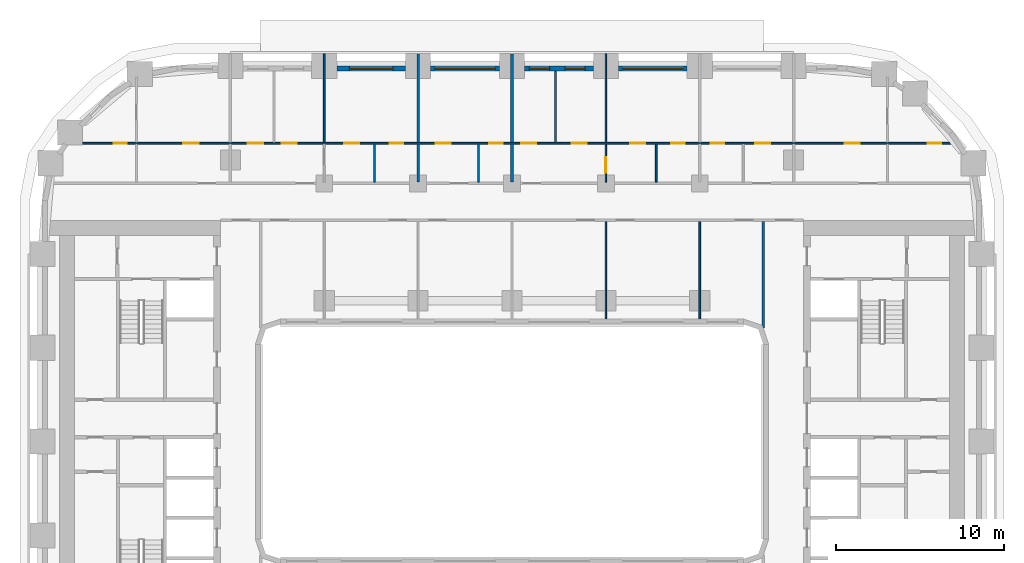
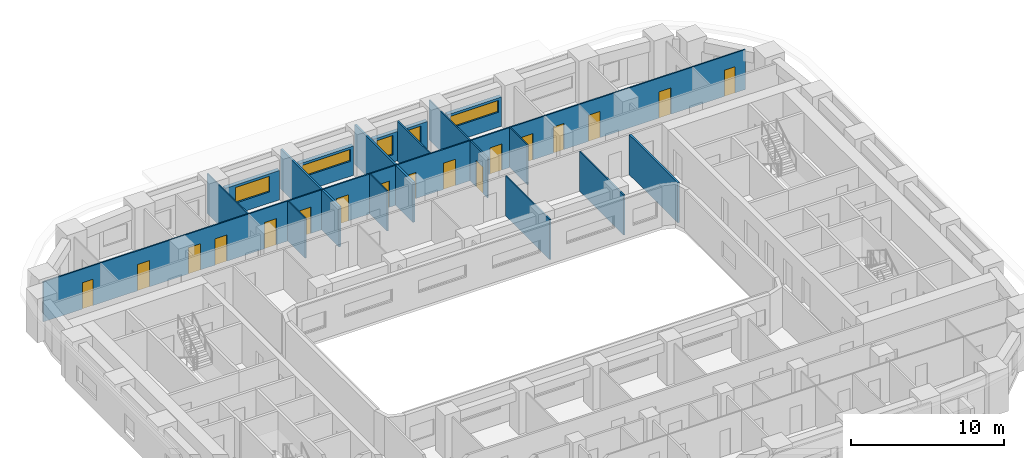
# One storey, part 8 of 21: 19 walls, 17 doors, 5 windows, 22 openings.
"""IFC4 building model written with IfcOpenShell, lengths in metres."""

from ifc_helpers import new_model, si_unit, direction, frame, frame_2d, origin, place, context, subcontext, project, spatial, rectangle, extrude, material, layer, layer_set, type_object, element, fill, save


model = new_model("IFC4")

# Units and contexts
model_context = context("Model", 3, precision=1e-05, world=origin(), true_north=direction((0.0, 1.0)))
body_context = subcontext(model_context, "Body", "Model", "MODEL_VIEW")
ifc_project = project(units=[si_unit("LENGTHUNIT", "METRE"), si_unit("AREAUNIT", "SQUARE_METRE"), si_unit("VOLUMEUNIT", "CUBIC_METRE"), si_unit("PLANEANGLEUNIT", "RADIAN"), si_unit("MASSUNIT", "GRAM", prefix="KILO")], contexts=[model_context])

# Site, building, storey
site_placement = place(None, origin())
site = spatial("IfcSite", under=ifc_project, at=site_placement, CompositionType="ELEMENT")
building_placement = place(site_placement, origin())
building = spatial("IfcBuilding", under=site, at=building_placement, Name="Kiln Ring Residences", CompositionType="ELEMENT")
storey_placement = place(building_placement, frame((0.0, 0.0, 34.0)))
storey = spatial("IfcBuildingStorey", under=building, at=storey_placement, Name="L07", CompositionType="ELEMENT", Elevation=34.0)

# Wall, opening, window
ifc_material_1 = material(Name="Brick masonry, dark clay brick", Category="masonry")
ifc_layer_1 = layer(ifc_material_1, 0.300048828125)
ifc_layer_set_1 = layer_set([ifc_layer_1], Name="EW-300 BRICK WALL")
wall_type_1 = type_object("IfcWallType", Name="EW-300 BRICK WALL", PredefinedType="SOLIDWALL", material=ifc_layer_set_1)
wall_1_placement = place(storey_placement, frame((10.449951171875, 22.25, 0.0), z_axis=(0.0, 0.0, 1.0), x_axis=(-1.0, 0.0, 0.0)))
wall_1 = element("IfcWall", 1, at=wall_1_placement, inside=storey, type_object=wall_type_1, Name="Facade wall L07 30", PredefinedType="SOLIDWALL", context=body_context, shape_type="SweptSolid", body=[
    extrude(rectangle(XDim=4.099853515625, YDim=0.300048828125, at=frame_2d((2.0498046875, 0.0))), origin(), (0.0, 0.0, 1.0), 2.35009765625),
])
opening_1_placement = place(wall_1_placement, frame((0.25, 0.0, 1.199951171875)))
opening_1 = element("IfcOpeningElement", 2, at=opening_1_placement, cuts=wall_1, Name="Opening W4", PredefinedType="OPENING", context=body_context, shape_type="SweptSolid", body=[
    extrude(rectangle(XDim=3.60009765625, YDim=0.949951171875, at=frame_2d((1.800048828125, 0.47509765625))), frame((0.0, 0.159912109375, 0.0), z_axis=(0.0, -1.0, 0.0), x_axis=(1.0, 0.0, 0.0)), (0.0, 0.0, 1.0), 0.320068359375),
])
ifc_material_2 = material(Name="Aluminium frame with double glazing", Category="aluminium")
window_type_1 = type_object("IfcWindowType", Name="WINDOW 3600 x 950", PartitioningType="SINGLE_PANEL", PredefinedType="WINDOW", material=ifc_material_2)
window_1_placement = place(opening_1_placement, origin())
window_1 = element("IfcWindow", 3, at=window_1_placement, inside=storey, type_object=window_type_1, Name="Window L07 15", OverallHeight=0.949951171875, OverallWidth=3.60009765625, PartitioningType="SINGLE_PANEL", PredefinedType="WINDOW", context=body_context, shape_type="SweptSolid", body=[
    extrude(rectangle(XDim=3.60009765625, YDim=0.949951171875, at=frame_2d((1.800048828125, 0.47509765625))), frame((0.0, 0.030029296875, 0.0), z_axis=(0.0, -1.0, 0.0), x_axis=(1.0, 0.0, 0.0)), (0.0, 0.0, 1.0), 0.06005859375),
])
fill(opening_1, window_1)

# Wall, openings, windows
wall_2_placement = place(storey_placement, frame((4.85009765625, 22.25, 0.0), z_axis=(0.0, 0.0, 1.0), x_axis=(-1.0, 0.0, 0.0)))
wall_2 = element("IfcWall", 4, at=wall_2_placement, inside=storey, type_object=wall_type_1, Name="Facade wall L07 31", PredefinedType="SOLIDWALL", context=body_context, shape_type="SweptSolid", body=[
    extrude(rectangle(XDim=4.10009765625, YDim=0.300048828125, at=frame_2d((2.050048828125, 0.0))), origin(), (0.0, 0.0, 1.0), 2.35009765625),
])
opening_2_placement = place(wall_2_placement, frame((0.487548828125, 0.0, 0.60009765625)))
opening_2 = element("IfcOpeningElement", 5, at=opening_2_placement, cuts=wall_2, Name="Opening W1", PredefinedType="OPENING", context=body_context, shape_type="SweptSolid", body=[
    extrude(rectangle(XDim=1.199951171875, YDim=1.550048828125, at=frame_2d((0.60009765625, 0.77490234375))), frame((0.0, 0.159912109375, 0.0), z_axis=(0.0, -1.0, 0.0), x_axis=(1.0, 0.0, 0.0)), (0.0, 0.0, 1.0), 0.320068359375),
])
opening_3_placement = place(wall_2_placement, frame((2.612548828125, 0.0, 0.60009765625)))
opening_3 = element("IfcOpeningElement", 6, at=opening_3_placement, cuts=wall_2, Name="Opening W1", PredefinedType="OPENING", context=body_context, shape_type="SweptSolid", body=[
    extrude(rectangle(XDim=1.199951171875, YDim=1.550048828125, at=frame_2d((0.60009765625, 0.77490234375))), frame((0.0, 0.159912109375, 0.0), z_axis=(0.0, -1.0, 0.0), x_axis=(1.0, 0.0, 0.0)), (0.0, 0.0, 1.0), 0.320068359375),
])
ifc_material_3 = material(Name="Aluminium frame with double glazing", Category="aluminium")
window_type_2 = type_object("IfcWindowType", Name="WINDOW 1200 x 1550", PartitioningType="SINGLE_PANEL", PredefinedType="WINDOW", material=ifc_material_3)
window_2_placement = place(opening_2_placement, origin())
window_2 = element("IfcWindow", 7, at=window_2_placement, inside=storey, type_object=window_type_2, Name="Window L07 16", OverallHeight=1.550048828125, OverallWidth=1.199951171875, PartitioningType="SINGLE_PANEL", PredefinedType="WINDOW", context=body_context, shape_type="SweptSolid", body=[
    extrude(rectangle(XDim=1.199951171875, YDim=1.550048828125, at=frame_2d((0.60009765625, 0.77490234375))), frame((0.0, 0.030029296875, 0.0), z_axis=(0.0, -1.0, 0.0), x_axis=(1.0, 0.0, 0.0)), (0.0, 0.0, 1.0), 0.06005859375),
])
fill(opening_2, window_2)
window_3_placement = place(opening_3_placement, origin())
window_3 = element("IfcWindow", 8, at=window_3_placement, inside=storey, type_object=window_type_2, Name="Window L07 17", OverallHeight=1.550048828125, OverallWidth=1.199951171875, PartitioningType="SINGLE_PANEL", PredefinedType="WINDOW", context=body_context, shape_type="SweptSolid", body=[
    extrude(rectangle(XDim=1.199951171875, YDim=1.550048828125, at=frame_2d((0.60009765625, 0.77490234375))), frame((0.0, 0.030029296875, 0.0), z_axis=(0.0, -1.0, 0.0), x_axis=(1.0, 0.0, 0.0)), (0.0, 0.0, 1.0), 0.06005859375),
])
fill(opening_3, window_3)

# Wall, opening, window
wall_3_placement = place(storey_placement, frame((-0.75, 22.25, 0.0), z_axis=(0.0, 0.0, 1.0), x_axis=(-1.0, 0.0, 0.0)))
wall_3 = element("IfcWall", 9, at=wall_3_placement, inside=storey, type_object=wall_type_1, Name="Facade wall L07 32", PredefinedType="SOLIDWALL", context=body_context, shape_type="SweptSolid", body=[
    extrude(rectangle(XDim=4.10009765625, YDim=0.300048828125, at=frame_2d((2.050048828125, 0.0))), origin(), (0.0, 0.0, 1.0), 2.35009765625),
])
opening_4_placement = place(wall_3_placement, frame((0.25, 0.0, 1.199951171875)))
opening_4 = element("IfcOpeningElement", 10, at=opening_4_placement, cuts=wall_3, Name="Opening W4", PredefinedType="OPENING", context=body_context, shape_type="SweptSolid", body=[
    extrude(rectangle(XDim=3.60009765625, YDim=0.949951171875, at=frame_2d((1.800048828125, 0.47509765625))), frame((0.0, 0.159912109375, 0.0), z_axis=(0.0, -1.0, 0.0), x_axis=(1.0, 0.0, 0.0)), (0.0, 0.0, 1.0), 0.320068359375),
])
window_4_placement = place(opening_4_placement, origin())
window_4 = element("IfcWindow", 11, at=window_4_placement, inside=storey, type_object=window_type_1, Name="Window L07 18", OverallHeight=0.949951171875, OverallWidth=3.60009765625, PartitioningType="SINGLE_PANEL", PredefinedType="WINDOW", context=body_context, shape_type="SweptSolid", body=[
    extrude(rectangle(XDim=3.60009765625, YDim=0.949951171875, at=frame_2d((1.800048828125, 0.47509765625))), frame((0.0, 0.030029296875, 0.0), z_axis=(0.0, -1.0, 0.0), x_axis=(1.0, 0.0, 0.0)), (0.0, 0.0, 1.0), 0.06005859375),
])
fill(opening_4, window_4)

wall_4_placement = place(storey_placement, frame((-6.35009765625, 22.25, 0.0), z_axis=(0.0, 0.0, 1.0), x_axis=(-1.0, 0.0, 0.0)))
wall_4 = element("IfcWall", 12, at=wall_4_placement, inside=storey, type_object=wall_type_1, Name="Facade wall L07 33", PredefinedType="SOLIDWALL", context=body_context, shape_type="SweptSolid", body=[
    extrude(rectangle(XDim=4.099853515625, YDim=0.300048828125, at=frame_2d((2.0498046875, 0.0))), origin(), (0.0, 0.0, 1.0), 2.35009765625),
])
opening_5_placement = place(wall_4_placement, frame((0.75, 0.0, 0.89990234375)))
opening_5 = element("IfcOpeningElement", 13, at=opening_5_placement, cuts=wall_4, Name="Opening W3", PredefinedType="OPENING", context=body_context, shape_type="SweptSolid", body=[
    extrude(rectangle(XDim=2.60009765625, YDim=1.25, at=frame_2d((1.300048828125, 0.625))), frame((0.0, 0.159912109375, 0.0), z_axis=(0.0, -1.0, 0.0), x_axis=(1.0, 0.0, 0.0)), (0.0, 0.0, 1.0), 0.320068359375),
])
ifc_material_4 = material(Name="Aluminium frame with double glazing", Category="aluminium")
window_type_3 = type_object("IfcWindowType", Name="WINDOW 2600 x 1250", PartitioningType="SINGLE_PANEL", PredefinedType="WINDOW", material=ifc_material_4)
window_5_placement = place(opening_5_placement, origin())
window_5 = element("IfcWindow", 14, at=window_5_placement, inside=storey, type_object=window_type_3, Name="Window L07 19", OverallHeight=1.25, OverallWidth=2.60009765625, PartitioningType="SINGLE_PANEL", PredefinedType="WINDOW", context=body_context, shape_type="SweptSolid", body=[
    extrude(rectangle(XDim=2.60009765625, YDim=1.25, at=frame_2d((1.300048828125, 0.625))), frame((0.0, 0.030029296875, 0.0), z_axis=(0.0, -1.0, 0.0), x_axis=(1.0, 0.0, 0.0)), (0.0, 0.0, 1.0), 0.06005859375),
])
fill(opening_5, window_5)

# Wall, openings, doors
ifc_material_5 = material(Name="Gypsum board on steel studs", Category="steel")
ifc_layer_2 = layer(ifc_material_5, 0.10009765625)
ifc_layer_set_2 = layer_set([ifc_layer_2], Name="PARTITION-100")
wall_type_2 = type_object("IfcWallType", Name="PARTITION-100", PredefinedType="PARTITIONING", material=ifc_layer_set_2)
wall_5_placement = place(storey_placement, frame((-26.732177734375, 17.800048828125, 0.0), z_axis=(0.0, 0.0, 1.0), x_axis=(1.0, 0.0, 0.0)))
wall_5 = element("IfcWall", 15, at=wall_5_placement, inside=storey, type_object=wall_type_2, Name="Partition 005", PredefinedType="PARTITIONING", context=body_context, shape_type="SweptSolid", body=[
    extrude(rectangle(XDim=53.126220703125, YDim=0.10009765625, at=frame_2d((26.56298828125, 0.0))), origin(), (0.0, 0.0, 1.0), 3.199951171875),
])
opening_6_placement = place(wall_5_placement, frame((2.964111328125, 0.0, 0.0)))
opening_6 = element("IfcOpeningElement", 16, at=opening_6_placement, cuts=wall_5, Name="Opening L07-D012", PredefinedType="OPENING", context=body_context, shape_type="SweptSolid", body=[
    extrude(rectangle(XDim=0.800048828125, YDim=2.10009765625, at=frame_2d((0.39990234375, 1.050048828125))), frame((0.0, 0.06005859375, 0.0), z_axis=(0.0, -1.0, 0.0), x_axis=(1.0, 0.0, 0.0)), (0.0, 0.0, 1.0), 0.1201171875),
])
opening_7_placement = place(wall_5_placement, frame((7.132080078125, 0.0, 0.0)))
opening_7 = element("IfcOpeningElement", 17, at=opening_7_placement, cuts=wall_5, Name="Opening L07-D013", PredefinedType="OPENING", context=body_context, shape_type="SweptSolid", body=[
    extrude(rectangle(XDim=0.89990234375, YDim=2.10009765625, at=frame_2d((0.449951171875, 1.050048828125))), frame((0.0, 0.06005859375, 0.0), z_axis=(0.0, -1.0, 0.0), x_axis=(1.0, 0.0, 0.0)), (0.0, 0.0, 1.0), 0.1201171875),
])
opening_8_placement = place(wall_5_placement, frame((19.43212890625, 0.0, 0.0)))
opening_8 = element("IfcOpeningElement", 18, at=opening_8_placement, cuts=wall_5, Name="Opening L07-D017", PredefinedType="OPENING", context=body_context, shape_type="SweptSolid", body=[
    extrude(rectangle(XDim=0.800048828125, YDim=2.10009765625, at=frame_2d((0.39990234375, 1.050048828125))), frame((0.0, 0.06005859375, 0.0), z_axis=(0.0, -1.0, 0.0), x_axis=(1.0, 0.0, 0.0)), (0.0, 0.0, 1.0), 0.1201171875),
])
opening_9_placement = place(wall_5_placement, frame((16.732177734375, 0.0, 0.0)))
opening_9 = element("IfcOpeningElement", 19, at=opening_9_placement, cuts=wall_5, Name="Opening L07-D018", PredefinedType="OPENING", context=body_context, shape_type="SweptSolid", body=[
    extrude(rectangle(XDim=0.89990234375, YDim=2.10009765625, at=frame_2d((0.449951171875, 1.050048828125))), frame((0.0, 0.06005859375, 0.0), z_axis=(0.0, -1.0, 0.0), x_axis=(1.0, 0.0, 0.0)), (0.0, 0.0, 1.0), 0.1201171875),
])
opening_10_placement = place(wall_5_placement, frame((10.982177734375, 0.0, 0.0)))
opening_10 = element("IfcOpeningElement", 20, at=opening_10_placement, cuts=wall_5, Name="Opening L07-D019", PredefinedType="OPENING", context=body_context, shape_type="SweptSolid", body=[
    extrude(rectangle(XDim=0.89990234375, YDim=2.10009765625, at=frame_2d((0.449951171875, 1.050048828125))), frame((0.0, 0.06005859375, 0.0), z_axis=(0.0, -1.0, 0.0), x_axis=(1.0, 0.0, 0.0)), (0.0, 0.0, 1.0), 0.1201171875),
])
opening_11_placement = place(wall_5_placement, frame((12.982177734375, 0.0, 0.0)))
opening_11 = element("IfcOpeningElement", 21, at=opening_11_placement, cuts=wall_5, Name="Opening L07-D020", PredefinedType="OPENING", context=body_context, shape_type="SweptSolid", body=[
    extrude(rectangle(XDim=0.89990234375, YDim=2.10009765625, at=frame_2d((0.449951171875, 1.050048828125))), frame((0.0, 0.06005859375, 0.0), z_axis=(0.0, -1.0, 0.0), x_axis=(1.0, 0.0, 0.0)), (0.0, 0.0, 1.0), 0.1201171875),
])
opening_12_placement = place(wall_5_placement, frame((25.382080078125, 0.0, 0.0)))
opening_12 = element("IfcOpeningElement", 22, at=opening_12_placement, cuts=wall_5, Name="Opening L07-D022", PredefinedType="OPENING", context=body_context, shape_type="SweptSolid", body=[
    extrude(rectangle(XDim=0.800048828125, YDim=2.10009765625, at=frame_2d((0.39990234375, 1.050048828125))), frame((0.0, 0.06005859375, 0.0), z_axis=(0.0, -1.0, 0.0), x_axis=(1.0, 0.0, 0.0)), (0.0, 0.0, 1.0), 0.1201171875),
])
opening_13_placement = place(wall_5_placement, frame((22.18212890625, 0.0, 0.0)))
opening_13 = element("IfcOpeningElement", 23, at=opening_13_placement, cuts=wall_5, Name="Opening L07-D023", PredefinedType="OPENING", context=body_context, shape_type="SweptSolid", body=[
    extrude(rectangle(XDim=0.89990234375, YDim=2.10009765625, at=frame_2d((0.449951171875, 1.050048828125))), frame((0.0, 0.06005859375, 0.0), z_axis=(0.0, -1.0, 0.0), x_axis=(1.0, 0.0, 0.0)), (0.0, 0.0, 1.0), 0.1201171875),
])
opening_14_placement = place(wall_5_placement, frame((36.232177734375, 0.0, 0.0)))
opening_14 = element("IfcOpeningElement", 24, at=opening_14_placement, cuts=wall_5, Name="Opening L07-D026", PredefinedType="OPENING", context=body_context, shape_type="SweptSolid", body=[
    extrude(rectangle(XDim=0.800048828125, YDim=2.10009765625, at=frame_2d((0.39990234375, 1.050048828125))), frame((0.0, 0.06005859375, 0.0), z_axis=(0.0, -1.0, 0.0), x_axis=(1.0, 0.0, 0.0)), (0.0, 0.0, 1.0), 0.1201171875),
])
opening_15_placement = place(wall_5_placement, frame((33.781982421875, 0.0, 0.0)))
opening_15 = element("IfcOpeningElement", 25, at=opening_15_placement, cuts=wall_5, Name="Opening L07-D027", PredefinedType="OPENING", context=body_context, shape_type="SweptSolid", body=[
    extrude(rectangle(XDim=0.89990234375, YDim=2.10009765625, at=frame_2d((0.449951171875, 1.050048828125))), frame((0.0, 0.06005859375, 0.0), z_axis=(0.0, -1.0, 0.0), x_axis=(1.0, 0.0, 0.0)), (0.0, 0.0, 1.0), 0.1201171875),
])
opening_16_placement = place(wall_5_placement, frame((27.281982421875, 0.0, 0.0)))
opening_16 = element("IfcOpeningElement", 26, at=opening_16_placement, cuts=wall_5, Name="Opening L07-D028", PredefinedType="OPENING", context=body_context, shape_type="SweptSolid", body=[
    extrude(rectangle(XDim=0.89990234375, YDim=2.10009765625, at=frame_2d((0.449951171875, 1.050048828125))), frame((0.0, 0.06005859375, 0.0), z_axis=(0.0, -1.0, 0.0), x_axis=(1.0, 0.0, 0.0)), (0.0, 0.0, 1.0), 0.1201171875),
])
opening_17_placement = place(wall_5_placement, frame((30.281982421875, 0.0, 0.0)))
opening_17 = element("IfcOpeningElement", 27, at=opening_17_placement, cuts=wall_5, Name="Opening L07-D029", PredefinedType="OPENING", context=body_context, shape_type="SweptSolid", body=[
    extrude(rectangle(XDim=0.89990234375, YDim=2.10009765625, at=frame_2d((0.449951171875, 1.050048828125))), frame((0.0, 0.06005859375, 0.0), z_axis=(0.0, -1.0, 0.0), x_axis=(1.0, 0.0, 0.0)), (0.0, 0.0, 1.0), 0.1201171875),
])
opening_18_placement = place(wall_5_placement, frame((38.58203125, 0.0, 0.0)))
opening_18 = element("IfcOpeningElement", 28, at=opening_18_placement, cuts=wall_5, Name="Opening L07-D031", PredefinedType="OPENING", context=body_context, shape_type="SweptSolid", body=[
    extrude(rectangle(XDim=0.800048828125, YDim=2.10009765625, at=frame_2d((0.39990234375, 1.050048828125))), frame((0.0, 0.06005859375, 0.0), z_axis=(0.0, -1.0, 0.0), x_axis=(1.0, 0.0, 0.0)), (0.0, 0.0, 1.0), 0.1201171875),
])
opening_19_placement = place(wall_5_placement, frame((41.232177734375, 0.0, 0.0)))
opening_19 = element("IfcOpeningElement", 29, at=opening_19_placement, cuts=wall_5, Name="Opening L07-D032", PredefinedType="OPENING", context=body_context, shape_type="SweptSolid", body=[
    extrude(rectangle(XDim=0.89990234375, YDim=2.10009765625, at=frame_2d((0.449951171875, 1.050048828125))), frame((0.0, 0.06005859375, 0.0), z_axis=(0.0, -1.0, 0.0), x_axis=(1.0, 0.0, 0.0)), (0.0, 0.0, 1.0), 0.1201171875),
])
opening_20_placement = place(wall_5_placement, frame((51.531982421875, 0.0, 0.0)))
opening_20 = element("IfcOpeningElement", 30, at=opening_20_placement, cuts=wall_5, Name="Opening L07-D034", PredefinedType="OPENING", context=body_context, shape_type="SweptSolid", body=[
    extrude(rectangle(XDim=0.800048828125, YDim=2.10009765625, at=frame_2d((0.39990234375, 1.050048828125))), frame((0.0, 0.06005859375, 0.0), z_axis=(0.0, -1.0, 0.0), x_axis=(1.0, 0.0, 0.0)), (0.0, 0.0, 1.0), 0.1201171875),
])
opening_21_placement = place(wall_5_placement, frame((46.58203125, 0.0, 0.0)))
opening_21 = element("IfcOpeningElement", 31, at=opening_21_placement, cuts=wall_5, Name="Opening L07-D035", PredefinedType="OPENING", context=body_context, shape_type="SweptSolid", body=[
    extrude(rectangle(XDim=0.89990234375, YDim=2.10009765625, at=frame_2d((0.449951171875, 1.050048828125))), frame((0.0, 0.06005859375, 0.0), z_axis=(0.0, -1.0, 0.0), x_axis=(1.0, 0.0, 0.0)), (0.0, 0.0, 1.0), 0.1201171875),
])
ifc_material_6 = material(Name="Timber door leaf", Category="wood")
door_type_1 = type_object("IfcDoorType", Name="FLAT-DOOR-800-PL", OperationType="SINGLE_SWING_LEFT", PredefinedType="DOOR", material=ifc_material_6)
door_1_placement = place(opening_6_placement, origin())
door_1 = element("IfcDoor", 32, at=door_1_placement, inside=storey, type_object=door_type_1, Name="Door L07-D012", OperationType="SINGLE_SWING_RIGHT", OverallHeight=2.10009765625, OverallWidth=0.800048828125, PredefinedType="DOOR", context=body_context, shape_type="SweptSolid", body=[
    extrude(rectangle(XDim=0.800048828125, YDim=2.10009765625, at=frame_2d((0.39990234375, 1.050048828125))), frame((0.0, 0.02490234375, 0.0), z_axis=(0.0, -1.0, 0.0), x_axis=(1.0, 0.0, 0.0)), (0.0, 0.0, 1.0), 0.050048828125),
])
fill(opening_6, door_1)
door_2_placement = place(opening_8_placement, origin())
door_2 = element("IfcDoor", 33, at=door_2_placement, inside=storey, type_object=door_type_1, Name="Door L07-D017", OperationType="SINGLE_SWING_LEFT", OverallHeight=2.10009765625, OverallWidth=0.800048828125, PredefinedType="DOOR", context=body_context, shape_type="SweptSolid", body=[
    extrude(rectangle(XDim=0.800048828125, YDim=2.10009765625, at=frame_2d((0.39990234375, 1.050048828125))), frame((0.0, 0.02490234375, 0.0), z_axis=(0.0, -1.0, 0.0), x_axis=(1.0, 0.0, 0.0)), (0.0, 0.0, 1.0), 0.050048828125),
])
fill(opening_8, door_2)
door_3_placement = place(opening_12_placement, origin())
door_3 = element("IfcDoor", 34, at=door_3_placement, inside=storey, type_object=door_type_1, Name="Door L07-D022", OperationType="SINGLE_SWING_RIGHT", OverallHeight=2.10009765625, OverallWidth=0.800048828125, PredefinedType="DOOR", context=body_context, shape_type="SweptSolid", body=[
    extrude(rectangle(XDim=0.800048828125, YDim=2.10009765625, at=frame_2d((0.39990234375, 1.050048828125))), frame((0.0, 0.02490234375, 0.0), z_axis=(0.0, -1.0, 0.0), x_axis=(1.0, 0.0, 0.0)), (0.0, 0.0, 1.0), 0.050048828125),
])
fill(opening_12, door_3)
door_4_placement = place(opening_14_placement, origin())
door_4 = element("IfcDoor", 35, at=door_4_placement, inside=storey, type_object=door_type_1, Name="Door L07-D026", OperationType="SINGLE_SWING_RIGHT", OverallHeight=2.10009765625, OverallWidth=0.800048828125, PredefinedType="DOOR", context=body_context, shape_type="SweptSolid", body=[
    extrude(rectangle(XDim=0.800048828125, YDim=2.10009765625, at=frame_2d((0.39990234375, 1.050048828125))), frame((0.0, 0.02490234375, 0.0), z_axis=(0.0, -1.0, 0.0), x_axis=(1.0, 0.0, 0.0)), (0.0, 0.0, 1.0), 0.050048828125),
])
fill(opening_14, door_4)
door_5_placement = place(opening_18_placement, origin())
door_5 = element("IfcDoor", 36, at=door_5_placement, inside=storey, type_object=door_type_1, Name="Door L07-D031", OperationType="SINGLE_SWING_LEFT", OverallHeight=2.10009765625, OverallWidth=0.800048828125, PredefinedType="DOOR", context=body_context, shape_type="SweptSolid", body=[
    extrude(rectangle(XDim=0.800048828125, YDim=2.10009765625, at=frame_2d((0.39990234375, 1.050048828125))), frame((0.0, 0.02490234375, 0.0), z_axis=(0.0, -1.0, 0.0), x_axis=(1.0, 0.0, 0.0)), (0.0, 0.0, 1.0), 0.050048828125),
])
fill(opening_18, door_5)
door_6_placement = place(opening_20_placement, origin())
door_6 = element("IfcDoor", 37, at=door_6_placement, inside=storey, type_object=door_type_1, Name="Door L07-D034", OperationType="SINGLE_SWING_RIGHT", OverallHeight=2.10009765625, OverallWidth=0.800048828125, PredefinedType="DOOR", context=body_context, shape_type="SweptSolid", body=[
    extrude(rectangle(XDim=0.800048828125, YDim=2.10009765625, at=frame_2d((0.39990234375, 1.050048828125))), frame((0.0, 0.02490234375, 0.0), z_axis=(0.0, -1.0, 0.0), x_axis=(1.0, 0.0, 0.0)), (0.0, 0.0, 1.0), 0.050048828125),
])
fill(opening_20, door_6)
ifc_material_7 = material(Name="Timber door leaf", Category="wood")
door_type_2 = type_object("IfcDoorType", Name="FLAT-DOOR-900-PL", OperationType="SINGLE_SWING_LEFT", PredefinedType="DOOR", material=ifc_material_7)
door_7_placement = place(opening_7_placement, origin())
door_7 = element("IfcDoor", 38, at=door_7_placement, inside=storey, type_object=door_type_2, Name="Door L07-D013", OperationType="SINGLE_SWING_LEFT", OverallHeight=2.10009765625, OverallWidth=0.89990234375, PredefinedType="DOOR", context=body_context, shape_type="SweptSolid", body=[
    extrude(rectangle(XDim=0.89990234375, YDim=2.10009765625, at=frame_2d((0.449951171875, 1.050048828125))), frame((0.0, 0.02490234375, 0.0), z_axis=(0.0, -1.0, 0.0), x_axis=(1.0, 0.0, 0.0)), (0.0, 0.0, 1.0), 0.050048828125),
])
fill(opening_7, door_7)
door_8_placement = place(opening_9_placement, origin())
door_8 = element("IfcDoor", 39, at=door_8_placement, inside=storey, type_object=door_type_2, Name="Door L07-D018", OperationType="SINGLE_SWING_RIGHT", OverallHeight=2.10009765625, OverallWidth=0.89990234375, PredefinedType="DOOR", context=body_context, shape_type="SweptSolid", body=[
    extrude(rectangle(XDim=0.89990234375, YDim=2.10009765625, at=frame_2d((0.449951171875, 1.050048828125))), frame((0.0, 0.02490234375, 0.0), z_axis=(0.0, -1.0, 0.0), x_axis=(1.0, 0.0, 0.0)), (0.0, 0.0, 1.0), 0.050048828125),
])
fill(opening_9, door_8)
door_9_placement = place(opening_10_placement, origin())
door_9 = element("IfcDoor", 40, at=door_9_placement, inside=storey, type_object=door_type_2, Name="Door L07-D019", OperationType="SINGLE_SWING_LEFT", OverallHeight=2.10009765625, OverallWidth=0.89990234375, PredefinedType="DOOR", context=body_context, shape_type="SweptSolid", body=[
    extrude(rectangle(XDim=0.89990234375, YDim=2.10009765625, at=frame_2d((0.449951171875, 1.050048828125))), frame((0.0, 0.02490234375, 0.0), z_axis=(0.0, -1.0, 0.0), x_axis=(1.0, 0.0, 0.0)), (0.0, 0.0, 1.0), 0.050048828125),
])
fill(opening_10, door_9)
door_10_placement = place(opening_11_placement, origin())
door_10 = element("IfcDoor", 41, at=door_10_placement, inside=storey, type_object=door_type_2, Name="Door L07-D020", OperationType="SINGLE_SWING_RIGHT", OverallHeight=2.10009765625, OverallWidth=0.89990234375, PredefinedType="DOOR", context=body_context, shape_type="SweptSolid", body=[
    extrude(rectangle(XDim=0.89990234375, YDim=2.10009765625, at=frame_2d((0.449951171875, 1.050048828125))), frame((0.0, 0.02490234375, 0.0), z_axis=(0.0, -1.0, 0.0), x_axis=(1.0, 0.0, 0.0)), (0.0, 0.0, 1.0), 0.050048828125),
])
fill(opening_11, door_10)
door_11_placement = place(opening_13_placement, origin())
door_11 = element("IfcDoor", 42, at=door_11_placement, inside=storey, type_object=door_type_2, Name="Door L07-D023", OperationType="SINGLE_SWING_RIGHT", OverallHeight=2.10009765625, OverallWidth=0.89990234375, PredefinedType="DOOR", context=body_context, shape_type="SweptSolid", body=[
    extrude(rectangle(XDim=0.89990234375, YDim=2.10009765625, at=frame_2d((0.449951171875, 1.050048828125))), frame((0.0, 0.02490234375, 0.0), z_axis=(0.0, -1.0, 0.0), x_axis=(1.0, 0.0, 0.0)), (0.0, 0.0, 1.0), 0.050048828125),
])
fill(opening_13, door_11)
door_12_placement = place(opening_15_placement, origin())
door_12 = element("IfcDoor", 43, at=door_12_placement, inside=storey, type_object=door_type_2, Name="Door L07-D027", OperationType="SINGLE_SWING_LEFT", OverallHeight=2.10009765625, OverallWidth=0.89990234375, PredefinedType="DOOR", context=body_context, shape_type="SweptSolid", body=[
    extrude(rectangle(XDim=0.89990234375, YDim=2.10009765625, at=frame_2d((0.449951171875, 1.050048828125))), frame((0.0, 0.02490234375, 0.0), z_axis=(0.0, -1.0, 0.0), x_axis=(1.0, 0.0, 0.0)), (0.0, 0.0, 1.0), 0.050048828125),
])
fill(opening_15, door_12)
door_13_placement = place(opening_16_placement, origin())
door_13 = element("IfcDoor", 44, at=door_13_placement, inside=storey, type_object=door_type_2, Name="Door L07-D028", OperationType="SINGLE_SWING_RIGHT", OverallHeight=2.10009765625, OverallWidth=0.89990234375, PredefinedType="DOOR", context=body_context, shape_type="SweptSolid", body=[
    extrude(rectangle(XDim=0.89990234375, YDim=2.10009765625, at=frame_2d((0.449951171875, 1.050048828125))), frame((0.0, 0.02490234375, 0.0), z_axis=(0.0, -1.0, 0.0), x_axis=(1.0, 0.0, 0.0)), (0.0, 0.0, 1.0), 0.050048828125),
])
fill(opening_16, door_13)
door_14_placement = place(opening_17_placement, origin())
door_14 = element("IfcDoor", 45, at=door_14_placement, inside=storey, type_object=door_type_2, Name="Door L07-D029", OperationType="SINGLE_SWING_LEFT", OverallHeight=2.10009765625, OverallWidth=0.89990234375, PredefinedType="DOOR", context=body_context, shape_type="SweptSolid", body=[
    extrude(rectangle(XDim=0.89990234375, YDim=2.10009765625, at=frame_2d((0.449951171875, 1.050048828125))), frame((0.0, 0.02490234375, 0.0), z_axis=(0.0, -1.0, 0.0), x_axis=(1.0, 0.0, 0.0)), (0.0, 0.0, 1.0), 0.050048828125),
])
fill(opening_17, door_14)
door_15_placement = place(opening_19_placement, origin())
door_15 = element("IfcDoor", 46, at=door_15_placement, inside=storey, type_object=door_type_2, Name="Door L07-D032", OperationType="SINGLE_SWING_RIGHT", OverallHeight=2.10009765625, OverallWidth=0.89990234375, PredefinedType="DOOR", context=body_context, shape_type="SweptSolid", body=[
    extrude(rectangle(XDim=0.89990234375, YDim=2.10009765625, at=frame_2d((0.449951171875, 1.050048828125))), frame((0.0, 0.02490234375, 0.0), z_axis=(0.0, -1.0, 0.0), x_axis=(1.0, 0.0, 0.0)), (0.0, 0.0, 1.0), 0.050048828125),
])
fill(opening_19, door_15)
door_16_placement = place(opening_21_placement, origin())
door_16 = element("IfcDoor", 47, at=door_16_placement, inside=storey, type_object=door_type_2, Name="Door L07-D035", OperationType="SINGLE_SWING_LEFT", OverallHeight=2.10009765625, OverallWidth=0.89990234375, PredefinedType="DOOR", context=body_context, shape_type="SweptSolid", body=[
    extrude(rectangle(XDim=0.89990234375, YDim=2.10009765625, at=frame_2d((0.449951171875, 1.050048828125))), frame((0.0, 0.02490234375, 0.0), z_axis=(0.0, -1.0, 0.0), x_axis=(1.0, 0.0, 0.0)), (0.0, 0.0, 1.0), 0.050048828125),
])
fill(opening_21, door_16)

# Walls
wall_6_placement = place(storey_placement, frame((-11.199951171875, 17.85009765625, 0.0), z_axis=(0.0, 0.0, 1.0), x_axis=(0.0, 1.0, 0.0)))
element("IfcWall", 48, at=wall_6_placement, inside=storey, type_object=wall_type_2, Name="Partition 021", PredefinedType="PARTITIONING", context=body_context, shape_type="SweptSolid", body=[
    extrude(rectangle(XDim=5.27978515625, YDim=0.10009765625, at=frame_2d((2.639892578125, 0.0))), origin(), (0.0, 0.0, 1.0), 3.199951171875),
])
for number, where, z_axis, x_axis, name in (
    (49, (-8.199951171875, 15.47509765625, 0.0), (0.0, 0.0, 1.0), (0.0, 1.0, 0.0), "Partition 025"),
    (50, (-2.0, 15.47509765625, 0.0), (0.0, 0.0, 1.0), (0.0, 1.0, 0.0), "Partition 033"),
):
    element("IfcWall", number, at=place(storey_placement, frame(where, z_axis=z_axis, x_axis=x_axis)), inside=storey, type_object=wall_type_2, Name=name, PredefinedType="PARTITIONING", context=body_context, shape_type="SweptSolid", body=[
        extrude(rectangle(XDim=2.27490234375, YDim=0.10009765625, at=frame_2d((1.137451171875, 0.0))), origin(), (0.0, 0.0, 1.0), 3.199951171875),
    ])
wall_7_placement = place(storey_placement, frame((2.60009765625, 17.85009765625, 0.0), z_axis=(0.0, 0.0, 1.0), x_axis=(0.0, 1.0, 0.0)))
element("IfcWall", 51, at=wall_7_placement, inside=storey, type_object=wall_type_2, Name="Partition 040", PredefinedType="PARTITIONING", context=body_context, shape_type="SweptSolid", body=[
    extrude(rectangle(XDim=4.22998046875, YDim=0.10009765625, at=frame_2d((2.114990234375, 0.0))), origin(), (0.0, 0.0, 1.0), 3.199951171875),
])
wall_8_placement = place(storey_placement, frame((5.60009765625, 7.320068359375, 0.0), z_axis=(0.0, 0.0, 1.0), x_axis=(0.0, 1.0, 0.0)))
element("IfcWall", 52, at=wall_8_placement, inside=storey, type_object=wall_type_2, Name="Partition 043", PredefinedType="PARTITIONING", context=body_context, shape_type="SweptSolid", body=[
    extrude(rectangle(XDim=5.804931640625, YDim=0.10009765625, at=frame_2d((2.90234375, 0.0))), origin(), (0.0, 0.0, 1.0), 3.199951171875),
])

# Wall, opening, door
wall_9_placement = place(storey_placement, frame((5.60009765625, 15.47509765625, 0.0), z_axis=(0.0, 0.0, 1.0), x_axis=(0.0, 1.0, 0.0)))
wall_9 = element("IfcWall", 53, at=wall_9_placement, inside=storey, type_object=wall_type_2, Name="Partition 044", PredefinedType="PARTITIONING", context=body_context, shape_type="SweptSolid", body=[
    extrude(rectangle(XDim=2.27490234375, YDim=0.10009765625, at=frame_2d((1.137451171875, 0.0))), origin(), (0.0, 0.0, 1.0), 3.199951171875),
])
opening_22_placement = place(wall_9_placement, frame((0.575927734375, 0.0, 0.0)))
opening_22 = element("IfcOpeningElement", 54, at=opening_22_placement, cuts=wall_9, Name="Opening L07-D025", PredefinedType="OPENING", context=body_context, shape_type="SweptSolid", body=[
    extrude(rectangle(XDim=0.89990234375, YDim=2.10009765625, at=frame_2d((0.449951171875, 1.050048828125))), frame((0.0, 0.06005859375, 0.0), z_axis=(0.0, -1.0, 0.0), x_axis=(1.0, 0.0, 0.0)), (0.0, 0.0, 1.0), 0.1201171875),
])
door_17_placement = place(opening_22_placement, origin())
door_17 = element("IfcDoor", 55, at=door_17_placement, inside=storey, type_object=door_type_2, Name="Door L07-D025", OperationType="SINGLE_SWING_LEFT", OverallHeight=2.10009765625, OverallWidth=0.89990234375, PredefinedType="DOOR", context=body_context, shape_type="SweptSolid", body=[
    extrude(rectangle(XDim=0.89990234375, YDim=2.10009765625, at=frame_2d((0.449951171875, 1.050048828125))), frame((0.0, 0.02490234375, 0.0), z_axis=(0.0, -1.0, 0.0), x_axis=(1.0, 0.0, 0.0)), (0.0, 0.0, 1.0), 0.050048828125),
])
fill(opening_22, door_17)

# Walls
wall_10_placement = place(storey_placement, frame((5.60009765625, 17.85009765625, 0.0), z_axis=(0.0, 0.0, 1.0), x_axis=(0.0, 1.0, 0.0)))
element("IfcWall", 56, at=wall_10_placement, inside=storey, type_object=wall_type_2, Name="Partition 045", PredefinedType="PARTITIONING", context=body_context, shape_type="SweptSolid", body=[
    extrude(rectangle(XDim=5.27978515625, YDim=0.10009765625, at=frame_2d((2.639892578125, 0.0))), origin(), (0.0, 0.0, 1.0), 3.199951171875),
])
wall_11_placement = place(storey_placement, frame((8.60009765625, 15.47509765625, 0.0), z_axis=(0.0, 0.0, 1.0), x_axis=(0.0, 1.0, 0.0)))
element("IfcWall", 57, at=wall_11_placement, inside=storey, type_object=wall_type_2, Name="Partition 049", PredefinedType="PARTITIONING", context=body_context, shape_type="SweptSolid", body=[
    extrude(rectangle(XDim=2.27490234375, YDim=0.10009765625, at=frame_2d((1.137451171875, 0.0))), origin(), (0.0, 0.0, 1.0), 3.199951171875),
])
wall_12_placement = place(storey_placement, frame((11.199951171875, 7.320068359375, 0.0), z_axis=(0.0, 0.0, 1.0), x_axis=(0.0, 1.0, 0.0)))
element("IfcWall", 58, at=wall_12_placement, inside=storey, type_object=wall_type_2, Name="Partition 053", PredefinedType="PARTITIONING", context=body_context, shape_type="SweptSolid", body=[
    extrude(rectangle(XDim=5.804931640625, YDim=0.10009765625, at=frame_2d((2.90234375, 0.0))), origin(), (0.0, 0.0, 1.0), 3.199951171875),
])
ifc_material_8 = material(Name="Brick masonry partition", Category="masonry")
ifc_layer_3 = layer(ifc_material_8, 0.14990234375)
ifc_layer_set_3 = layer_set([ifc_layer_3], Name="PARTITION-150-ei60")
wall_type_3 = type_object("IfcWallType", Name="PARTITION-150-ei60", PredefinedType="PARTITIONING", material=ifc_layer_set_3)
wall_13_placement = place(storey_placement, frame((-5.60009765625, 15.47509765625, 0.0), z_axis=(0.0, 0.0, 1.0), x_axis=(0.0, 1.0, 0.0)))
element("IfcWall", 59, at=wall_13_placement, inside=storey, type_object=wall_type_3, Name="Partition 030", PredefinedType="PARTITIONING", context=body_context, shape_type="SweptSolid", body=[
    extrude(rectangle(XDim=2.27490234375, YDim=0.14990234375, at=frame_2d((1.137451171875, 0.0))), origin(), (0.0, 0.0, 1.0), 3.199951171875),
])
wall_14_placement = place(storey_placement, frame((-5.60009765625, 17.85009765625, 0.0), z_axis=(0.0, 0.0, 1.0), x_axis=(0.0, 1.0, 0.0)))
element("IfcWall", 60, at=wall_14_placement, inside=storey, type_object=wall_type_3, Name="Partition 031", PredefinedType="PARTITIONING", context=body_context, shape_type="SweptSolid", body=[
    extrude(rectangle(XDim=5.27978515625, YDim=0.14990234375, at=frame_2d((2.639892578125, 0.0))), origin(), (0.0, 0.0, 1.0), 3.199951171875),
])
wall_15_placement = place(storey_placement, frame((0.0, 15.47509765625, 0.0), z_axis=(0.0, 0.0, 1.0), x_axis=(0.0, 1.0, 0.0)))
element("IfcWall", 61, at=wall_15_placement, inside=storey, type_object=wall_type_3, Name="Partition 038", PredefinedType="PARTITIONING", context=body_context, shape_type="SweptSolid", body=[
    extrude(rectangle(XDim=2.27490234375, YDim=0.14990234375, at=frame_2d((1.137451171875, 0.0))), origin(), (0.0, 0.0, 1.0), 3.199951171875),
])
wall_16_placement = place(storey_placement, frame((0.0, 17.85009765625, 0.0), z_axis=(0.0, 0.0, 1.0), x_axis=(0.0, 1.0, 0.0)))
element("IfcWall", 62, at=wall_16_placement, inside=storey, type_object=wall_type_3, Name="Partition 039", PredefinedType="PARTITIONING", context=body_context, shape_type="SweptSolid", body=[
    extrude(rectangle(XDim=5.27978515625, YDim=0.14990234375, at=frame_2d((2.639892578125, 0.0))), origin(), (0.0, 0.0, 1.0), 3.199951171875),
])
wall_17_placement = place(storey_placement, frame((15.0, 6.768798828125, 0.0), z_axis=(0.0, 0.0, 1.0), x_axis=(0.0, 1.0, 0.0)))
element("IfcWall", 63, at=wall_17_placement, inside=storey, type_object=wall_type_3, Name="Partition 059", PredefinedType="PARTITIONING", context=body_context, shape_type="SweptSolid", body=[
    extrude(rectangle(XDim=6.356201171875, YDim=0.14990234375, at=frame_2d((3.17822265625, 0.0))), origin(), (0.0, 0.0, 1.0), 3.199951171875),
])

save(model, "model.ifc")
